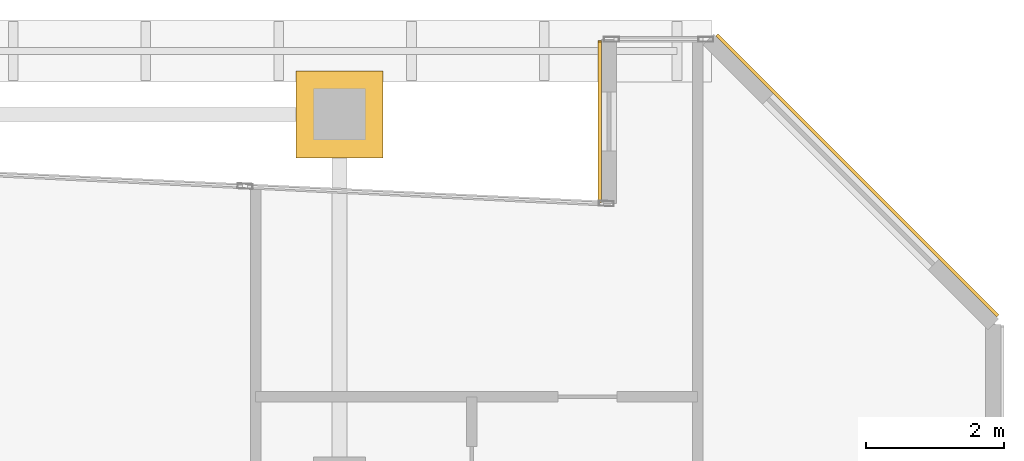
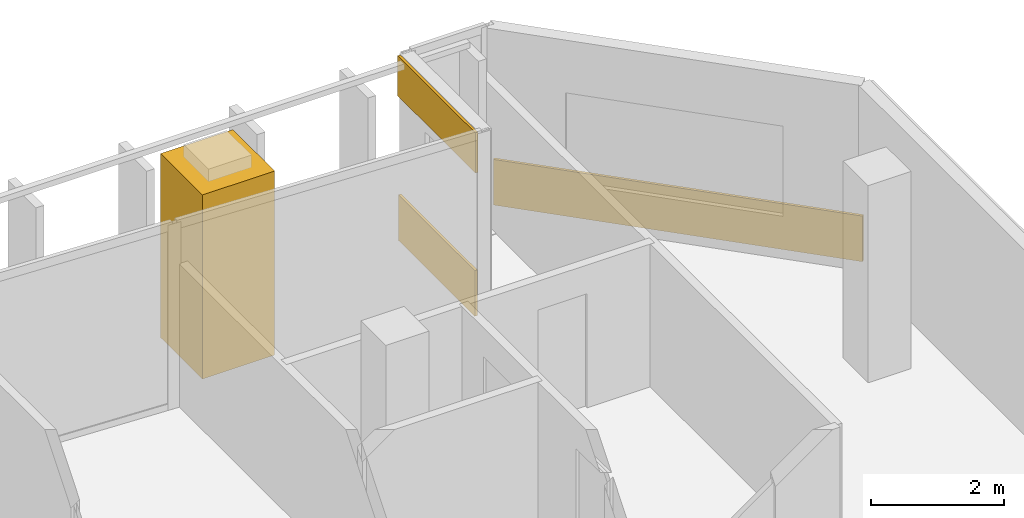
# One storey, part 32 of 32: 4 coverings.
"""IFC4 building model written with IfcOpenShell, lengths in metres."""

from ifc_helpers import new_model, si_unit, direction, frame, origin, origin_2d, place, context, subcontext, project, spatial, rectangle, extrude, material, layer, layer_set, type_object, element, save


model = new_model("IFC4")

# Units and contexts
model_context = context("Model", 3, precision=1e-05, world=origin(), true_north=direction((0.0, 1.0)))
body_context = subcontext(model_context, "Body", "Model", "MODEL_VIEW")
ifc_project = project(units=[si_unit("LENGTHUNIT", "METRE"), si_unit("AREAUNIT", "SQUARE_METRE"), si_unit("VOLUMEUNIT", "CUBIC_METRE"), si_unit("PLANEANGLEUNIT", "RADIAN"), si_unit("MASSUNIT", "GRAM", prefix="KILO")], contexts=[model_context])

# Site, building, storey
site_placement = place(None, origin())
site = spatial("IfcSite", under=ifc_project, at=site_placement, CompositionType="ELEMENT")
building_placement = place(site_placement, origin())
building = spatial("IfcBuilding", under=site, at=building_placement, Name="Tanjung Sevakor Pilgrim Tower", CompositionType="ELEMENT")
storey_placement = place(building_placement, frame((0.0, 0.0, 211.860107421875)))
storey = spatial("IfcBuildingStorey", under=building, at=storey_placement, Name="L59", CompositionType="ELEMENT", Elevation=211.860107421875)

# Coverings
ifc_material = material(Name="Reconstructed Limestone Cladding", Category="masonry")
ifc_layer = layer(ifc_material, 0.044921875)
ifc_layer_set = layer_set([ifc_layer], Name="COV-CLAD-LIMESTONE")
covering_type = type_object("IfcCoveringType", Name="COV-CLAD-LIMESTONE", PredefinedType="CLADDING", material=ifc_layer_set)
covering_1_placement = place(storey_placement, frame((97.515869140625, 53.06591796875, 0.009765625), z_axis=(0.0, 0.0, 1.0), x_axis=(-0.707106781187, 0.707106781187, 0.0)))
element("IfcCovering", 1, at=covering_1_placement, inside=storey, type_object=covering_type, Name="L59 Warm Limestone Sill Spandrel EW-CHM-L59-MAIN-17-1", PredefinedType="CLADDING", context=body_context, shape_type="SweptSolid", body=[
    extrude(rectangle(XDim=5.7685546875, YDim=0.044921875, at=origin_2d()), origin(), (0.0, 0.0, 1.0), 0.840087890625),
])
covering_2_placement = place(storey_placement, frame((93.777587890625, 53.847412109375, 0.009765625), z_axis=(0.0, 0.0, 1.0), x_axis=(0.0, -1.0, 0.0)))
element("IfcCovering", 2, at=covering_2_placement, inside=storey, type_object=covering_type, Name="L59 Warm Limestone Sill Spandrel EW-L59-MAIN-20-1", PredefinedType="CLADDING", context=body_context, shape_type="SweptSolid", body=[
    extrude(rectangle(XDim=2.305419921875, YDim=0.044921875, at=origin_2d()), origin(), (0.0, 0.0, 1.0), 0.840087890625),
])
covering_3_placement = place(storey_placement, frame((93.777587890625, 53.847412109375, 2.65966796875), z_axis=(0.0, 0.0, 1.0), x_axis=(0.0, -1.0, 0.0)))
element("IfcCovering", 3, at=covering_3_placement, inside=storey, type_object=covering_type, Name="L59 Warm Limestone Cornice Spandrel EW-L59-MAIN-20", PredefinedType="CLADDING", context=body_context, shape_type="SweptSolid", body=[
    extrude(rectangle(XDim=2.345458984375, YDim=0.044921875, at=origin_2d()), origin(), (0.0, 0.0, 1.0), 0.739990234375),
])
covering_4_placement = place(storey_placement, frame((90.0, 53.949951171875, 0.009765625), z_axis=(0.0, 0.0, 1.0), x_axis=(1.0, 0.0, 0.0)))
element("IfcCovering", 4, at=covering_4_placement, inside=storey, type_object=covering_type, Name="L59 Colonnade Pier Limestone Casing 40", PredefinedType="CLADDING", context=body_context, shape_type="SweptSolid", body=[
    extrude(rectangle(XDim=1.260009765625, YDim=1.260009765625, at=origin_2d()), origin(), (0.0, 0.0, 1.0), 3.389892578125),
])

save(model, "model.ifc")
